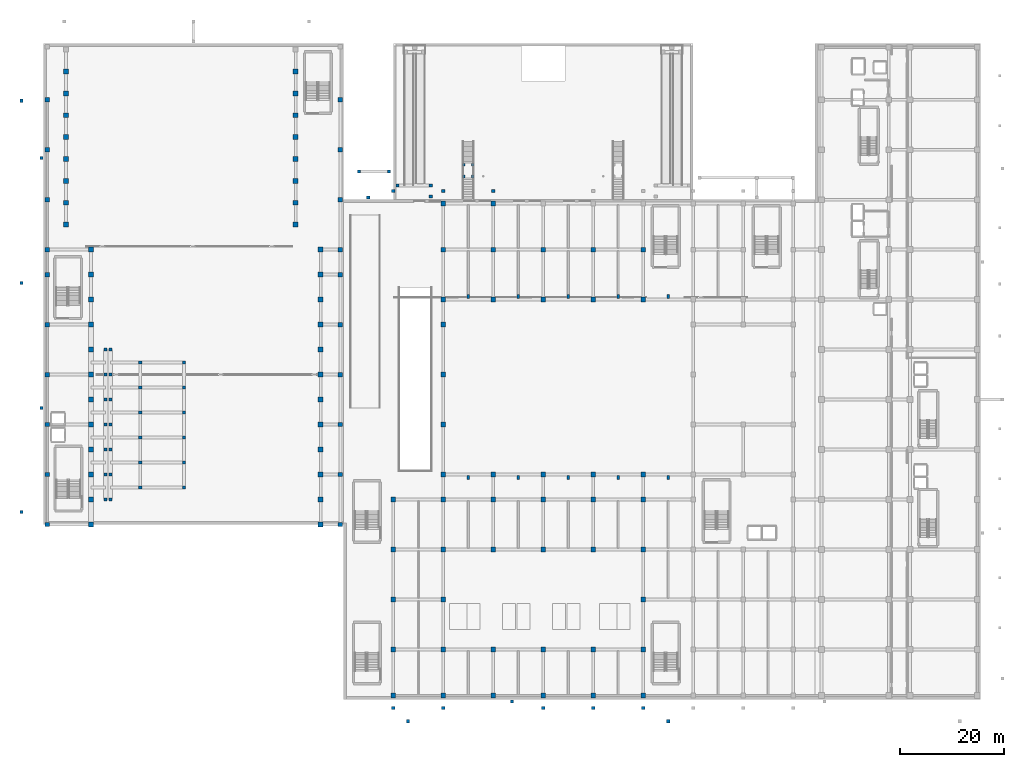
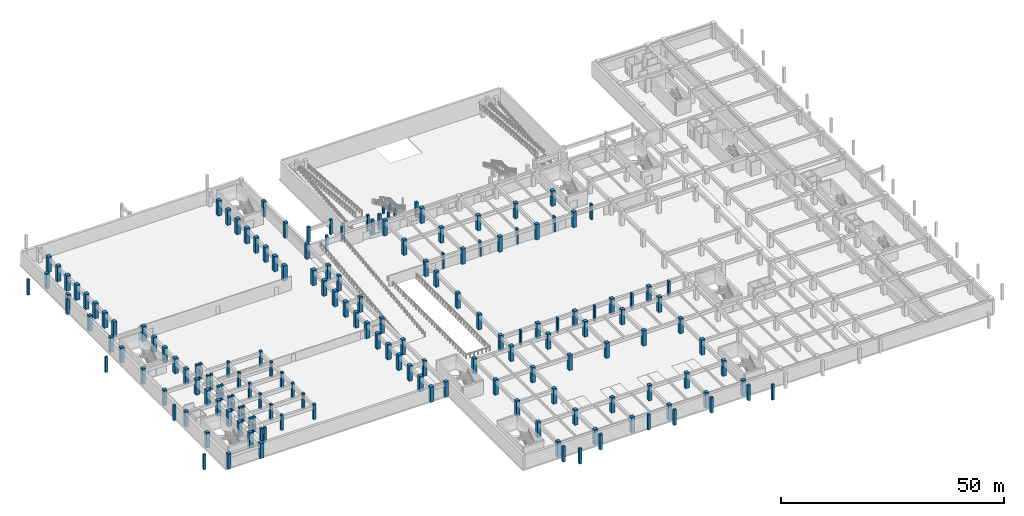
# One storey, part 1 of 39: 169 columns.
"""IFC4 building model written with IfcOpenShell, lengths in metres."""

from ifc_helpers import new_model, si_unit, direction, frame, origin, origin_2d, place, context, subcontext, project, spatial, rectangle, extrude, material, material_profile, profile_set, type_object, element, save


model = new_model("IFC4")

# Units and contexts
model_context = context("Model", 3, precision=1e-05, world=origin(), true_north=direction((0.0, 1.0)))
body_context = subcontext(model_context, "Body", "Model", "MODEL_VIEW")
ifc_project = project(units=[si_unit("LENGTHUNIT", "METRE"), si_unit("AREAUNIT", "SQUARE_METRE"), si_unit("VOLUMEUNIT", "CUBIC_METRE"), si_unit("PLANEANGLEUNIT", "RADIAN"), si_unit("MASSUNIT", "GRAM", prefix="KILO")], contexts=[model_context])

# Site, building, storey
site_placement = place(None, origin())
site = spatial("IfcSite", under=ifc_project, at=site_placement, CompositionType="ELEMENT")
building_placement = place(site_placement, origin())
building = spatial("IfcBuilding", under=site, at=building_placement, Name="Nakhvara Creek Congress Hotel", CompositionType="ELEMENT")
storey_placement = place(building_placement, frame((0.0, 0.0, -4.199951171875)))
storey = spatial("IfcBuildingStorey", under=building, at=storey_placement, Name="B1", CompositionType="ELEMENT", Elevation=-4.199951171875)

# Columns
ifc_material = material(Name="Concrete C50/60", Category="concrete")
ifc_material_profile_1 = material_profile(ifc_material, rectangle(XDim=0.5, YDim=0.5, at=origin_2d()), Name="RC-COL 500x500", Category="LoadBearing")
ifc_profile_set_1 = profile_set([ifc_material_profile_1], Name="Concrete C50/60")
column_type_1 = type_object("IfcColumnType", Name="COL-RC-500", PredefinedType="COLUMN", material=ifc_profile_set_1)
for number, where, z_axis, x_axis, name in (
    (1, (80.75, 100.449951171875, 0.0), (0.0, 0.0, 1.0), (1.0, 0.0, 0.0), "Forecourt Stair Landing Pier ST21-01"),
    (2, (80.75, 102.699951171875, 0.0), (0.0, 0.0, 1.0), (1.0, 0.0, 0.0), "Forecourt Stair Landing Pier ST21-02"),
    (3, (82.449951171875, 100.449951171875, 0.0), (0.0, 0.0, 1.0), (1.0, 0.0, 0.0), "Forecourt Stair Landing Pier ST21-03"),
    (4, (82.449951171875, 102.699951171875, 0.0), (0.0, 0.0, 1.0), (1.0, 0.0, 0.0), "Forecourt Stair Landing Pier ST21-04"),
):
    element("IfcColumn", number, at=place(storey_placement, frame(where, z_axis=z_axis, x_axis=x_axis)), inside=storey, type_object=column_type_1, Name=name, PredefinedType="COLUMN", context=body_context, shape_type="SweptSolid", body=[
        extrude(rectangle(XDim=0.5, YDim=0.5, at=origin_2d()), origin(), (0.0, 0.0, 1.0), 1.889892578125),
    ])
ifc_material_profile_2 = material_profile(ifc_material, rectangle(XDim=0.60009765625, YDim=0.60009765625, at=origin_2d()), Name="RC-COL 600x600", Category="LoadBearing")
ifc_profile_set_2 = profile_set([ifc_material_profile_2], Name="Concrete C50/60")
column_type_2 = type_object("IfcColumnType", Name="COL-RC-600", PredefinedType="COLUMN", material=ifc_profile_set_2)
for number, where, z_axis, x_axis, name in (
    (5, (11.949951171875, 38.39990234375, 0.0), (0.0, 0.0, 1.0), (1.0, 0.0, 0.0), "Column C08-B1-0332"),
    (6, (12.85009765625, 38.39990234375, 0.0), (0.0, 0.0, 1.0), (1.0, 0.0, 0.0), "Column C08-B1-0333"),
    (7, (11.949951171875, 43.199951171875, 0.0), (0.0, 0.0, 1.0), (1.0, 0.0, 0.0), "Column C08-B1-0334"),
    (8, (12.85009765625, 43.199951171875, 0.0), (0.0, 0.0, 1.0), (1.0, 0.0, 0.0), "Column C08-B1-0335"),
    (9, (11.949951171875, 48.0, 0.0), (0.0, 0.0, 1.0), (1.0, 0.0, 0.0), "Column C08-B1-0336"),
    (10, (12.85009765625, 48.0, 0.0), (0.0, 0.0, 1.0), (1.0, 0.0, 0.0), "Column C08-B1-0337"),
    (11, (11.949951171875, 52.800048828125, 0.0), (0.0, 0.0, 1.0), (1.0, 0.0, 0.0), "Column C08-B1-0338"),
    (12, (12.85009765625, 52.800048828125, 0.0), (0.0, 0.0, 1.0), (1.0, 0.0, 0.0), "Column C08-B1-0339"),
    (13, (11.949951171875, 57.60009765625, 0.0), (0.0, 0.0, 1.0), (1.0, 0.0, 0.0), "Column C08-B1-0340"),
    (14, (12.85009765625, 57.60009765625, 0.0), (0.0, 0.0, 1.0), (1.0, 0.0, 0.0), "Column C08-B1-0341"),
    (15, (11.949951171875, 62.39990234375, 0.0), (0.0, 0.0, 1.0), (1.0, 0.0, 0.0), "Column C08-B1-0342"),
    (16, (12.85009765625, 62.39990234375, 0.0), (0.0, 0.0, 1.0), (1.0, 0.0, 0.0), "Column C08-B1-0343"),
    (17, (11.949951171875, 67.199951171875, 0.0), (0.0, 0.0, 1.0), (1.0, 0.0, 0.0), "Column C08-B1-0344"),
    (18, (12.85009765625, 67.199951171875, 0.0), (0.0, 0.0, 1.0), (1.0, 0.0, 0.0), "Column C08-B1-0345"),
    (19, (18.60009765625, 40.699951171875, 0.0), (0.0, 0.0, 1.0), (1.0, 0.0, 0.0), "Column C08-B1-0346"),
    (20, (27.0, 40.699951171875, 0.0), (0.0, 0.0, 1.0), (1.0, 0.0, 0.0), "Column C08-B1-0347"),
    (21, (18.60009765625, 45.5, 0.0), (0.0, 0.0, 1.0), (1.0, 0.0, 0.0), "Column C08-B1-0348"),
    (22, (27.0, 45.5, 0.0), (0.0, 0.0, 1.0), (1.0, 0.0, 0.0), "Column C08-B1-0349"),
    (23, (18.60009765625, 50.300048828125, 0.0), (0.0, 0.0, 1.0), (1.0, 0.0, 0.0), "Column C08-B1-0350"),
    (24, (27.0, 50.300048828125, 0.0), (0.0, 0.0, 1.0), (1.0, 0.0, 0.0), "Column C08-B1-0351"),
    (25, (18.60009765625, 55.10009765625, 0.0), (0.0, 0.0, 1.0), (1.0, 0.0, 0.0), "Column C08-B1-0352"),
    (26, (27.0, 55.10009765625, 0.0), (0.0, 0.0, 1.0), (1.0, 0.0, 0.0), "Column C08-B1-0353"),
    (27, (18.60009765625, 59.89990234375, 0.0), (0.0, 0.0, 1.0), (1.0, 0.0, 0.0), "Column C08-B1-0354"),
    (28, (27.0, 59.89990234375, 0.0), (0.0, 0.0, 1.0), (1.0, 0.0, 0.0), "Column C08-B1-0355"),
    (29, (18.60009765625, 64.699951171875, 0.0), (0.0, 0.0, 1.0), (1.0, 0.0, 0.0), "Column C08-B1-0356"),
    (30, (27.0, 64.699951171875, 0.0), (0.0, 0.0, 1.0), (1.0, 0.0, 0.0), "Column C08-B1-0357"),
    (31, (68.0, 98.699951171875, 0.0), (0.0, 0.0, 1.0), (1.0, 0.0, 0.0), "Column C08-B1-0540"),
    (32, (74.39990234375, 96.60009765625, 0.0), (0.0, 0.0, 1.0), (1.0, 0.0, 0.0), "Column C08-B1-0541"),
    (33, (74.39990234375, 98.699951171875, 0.0), (0.0, 0.0, 1.0), (1.0, 0.0, 0.0), "Column C08-B1-0542"),
    (34, (-4.199951171875, 36.0, 0.0), (0.0, 0.0, 1.0), (1.0, 0.0, 0.0), "Column C08-B1-0552"),
    (35, (-4.199951171875, 80.0, 0.0), (0.0, 0.0, 1.0), (1.0, 0.0, 0.0), "Column C08-B1-0553"),
    (36, (-4.199951171875, 115.0, 0.0), (0.0, 0.0, 1.0), (1.0, 0.0, 0.0), "Column C08-B1-0554"),
    (37, (-0.39990234375, 56.0, 0.0), (0.0, 0.0, 1.0), (1.0, 0.0, 0.0), "Column C08-B1-0555"),
    (38, (-0.39990234375, 104.0, 0.0), (0.0, 0.0, 1.0), (1.0, 0.0, 0.0), "Column C08-B1-0556"),
    (39, (60.60009765625, 101.39990234375, 0.0), (0.0, 0.0, 1.0), (1.0, 0.0, 0.0), "Column C08-B1-0561"),
    (40, (66.39990234375, 101.39990234375, 0.0), (0.0, 0.0, 1.0), (1.0, 0.0, 0.0), "Column C08-B1-0562"),
    (41, (62.39990234375, 96.39990234375, 0.0), (0.0, 0.0, 1.0), (1.0, 0.0, 0.0), "Column C08-B1-0563"),
    (42, (70.0, -4.199951171875, 0.0), (0.0, 0.0, 1.0), (1.0, 0.0, 0.0), "Column C08-B1-0573"),
    (43, (120.0, -4.199951171875, 0.0), (0.0, 0.0, 1.0), (1.0, 0.0, 0.0), "Column C08-B1-0574"),
    (44, (90.0, -0.39990234375, 0.0), (0.0, 0.0, 1.0), (1.0, 0.0, 0.0), "Column C08-B1-0576"),
):
    element("IfcColumn", number, at=place(storey_placement, frame(where, z_axis=z_axis, x_axis=x_axis)), inside=storey, type_object=column_type_2, Name=name, PredefinedType="COLUMN", context=body_context, shape_type="SweptSolid", body=[
        extrude(rectangle(XDim=0.60009765625, YDim=0.60009765625, at=origin_2d()), origin(), (0.0, 0.0, 1.0), 4.199951171875),
    ])
ifc_material_profile_3 = material_profile(ifc_material, rectangle(XDim=0.64990234375, YDim=0.64990234375, at=origin_2d()), Name="RC-COL 650x650", Category="LoadBearing")
ifc_profile_set_3 = profile_set([ifc_material_profile_3], Name="Concrete C50/60")
column_type_3 = type_object("IfcColumnType", Name="COL-RC-650", PredefinedType="COLUMN", material=ifc_profile_set_3)
for number, where, z_axis, x_axis, name in (
    (45, (76.800048828125, 97.64990234375, 0.0), (0.0, 0.0, 1.0), (1.0, 0.0, 0.0), "Column C07-B1-0468"),
    (46, (86.39990234375, 97.64990234375, 0.0), (0.0, 0.0, 1.0), (1.0, 0.0, 0.0), "Column C07-B1-0469"),
    (47, (67.199951171875, -1.64990234375, 0.0), (0.0, 0.0, 1.0), (1.0, 0.0, 0.0), "Column C07-B1-0474"),
    (48, (76.800048828125, -1.64990234375, 0.0), (0.0, 0.0, 1.0), (1.0, 0.0, 0.0), "Column C07-B1-0475"),
    (49, (96.0, -1.64990234375, 0.0), (0.0, 0.0, 1.0), (1.0, 0.0, 0.0), "Column C07-B1-0476"),
    (50, (105.60009765625, -1.64990234375, 0.0), (0.0, 0.0, 1.0), (1.0, 0.0, 0.0), "Column C07-B1-0477"),
    (51, (67.199951171875, 97.64990234375, 0.0), (0.0, 0.0, 1.0), (1.0, 0.0, 0.0), "Column C07-B1-0480"),
    (52, (115.199951171875, -1.64990234375, 0.0), (0.0, 0.0, 1.0), (1.0, 0.0, 0.0), "Column C07-B1-0482"),
):
    element("IfcColumn", number, at=place(storey_placement, frame(where, z_axis=z_axis, x_axis=x_axis)), inside=storey, type_object=column_type_3, Name=name, PredefinedType="COLUMN", context=body_context, shape_type="SweptSolid", body=[
        extrude(rectangle(XDim=0.64990234375, YDim=0.64990234375, at=origin_2d()), origin(), (0.0, 0.0, 1.0), 4.199951171875),
    ])
ifc_material_profile_4 = material_profile(ifc_material, rectangle(XDim=0.85009765625, YDim=0.85009765625, at=origin_2d()), Name="RC-COL 850x850", Category="LoadBearing")
ifc_profile_set_4 = profile_set([ifc_material_profile_4], Name="Concrete C50/60")
column_type_4 = type_object("IfcColumnType", Name="COL-RC-850", PredefinedType="COLUMN", material=ifc_profile_set_4)
for number, where, z_axis, x_axis, name in (
    (53, (0.75, 33.60009765625, 0.0), (0.0, 0.0, 1.0), (1.0, 0.0, 0.0), "Column C18-B1-0294"),
    (54, (57.050048828125, 33.60009765625, 0.0), (0.0, 0.0, 1.0), (1.0, 0.0, 0.0), "Column C18-B1-0295"),
    (55, (0.75, 43.199951171875, 0.0), (0.0, 0.0, 1.0), (1.0, 0.0, 0.0), "Column C18-B1-0296"),
    (56, (57.050048828125, 43.199951171875, 0.0), (0.0, 0.0, 1.0), (1.0, 0.0, 0.0), "Column C18-B1-0297"),
    (57, (0.75, 52.800048828125, 0.0), (0.0, 0.0, 1.0), (1.0, 0.0, 0.0), "Column C18-B1-0298"),
    (58, (57.050048828125, 52.800048828125, 0.0), (0.0, 0.0, 1.0), (1.0, 0.0, 0.0), "Column C18-B1-0299"),
    (59, (0.75, 62.39990234375, 0.0), (0.0, 0.0, 1.0), (1.0, 0.0, 0.0), "Column C18-B1-0300"),
    (60, (57.050048828125, 62.39990234375, 0.0), (0.0, 0.0, 1.0), (1.0, 0.0, 0.0), "Column C18-B1-0301"),
    (61, (0.75, 72.0, 0.0), (0.0, 0.0, 1.0), (1.0, 0.0, 0.0), "Column C18-B1-0302"),
    (62, (57.050048828125, 72.0, 0.0), (0.0, 0.0, 1.0), (1.0, 0.0, 0.0), "Column C18-B1-0303"),
    (63, (0.75, 81.60009765625, 0.0), (0.0, 0.0, 1.0), (1.0, 0.0, 0.0), "Column C18-B1-0304"),
    (64, (57.050048828125, 81.60009765625, 0.0), (0.0, 0.0, 1.0), (1.0, 0.0, 0.0), "Column C18-B1-0305"),
    (65, (0.75, 86.39990234375, 0.0), (0.0, 0.0, 1.0), (1.0, 0.0, 0.0), "Column C18-B1-0306"),
    (66, (57.050048828125, 86.39990234375, 0.0), (0.0, 0.0, 1.0), (1.0, 0.0, 0.0), "Column C18-B1-0307"),
    (67, (0.75, 96.0, 0.0), (0.0, 0.0, 1.0), (1.0, 0.0, 0.0), "Column C18-B1-0376"),
    (68, (57.050048828125, 96.0, 0.0), (0.0, 0.0, 1.0), (1.0, 0.0, 0.0), "Column C18-B1-0377"),
    (69, (0.75, 105.60009765625, 0.0), (0.0, 0.0, 1.0), (1.0, 0.0, 0.0), "Column C18-B1-0378"),
    (70, (57.050048828125, 105.60009765625, 0.0), (0.0, 0.0, 1.0), (1.0, 0.0, 0.0), "Column C18-B1-0379"),
    (71, (0.75, 115.199951171875, 0.0), (0.0, 0.0, 1.0), (1.0, 0.0, 0.0), "Column C18-B1-0380"),
    (72, (57.050048828125, 115.199951171875, 0.0), (0.0, 0.0, 1.0), (1.0, 0.0, 0.0), "Column C18-B1-0381"),
):
    element("IfcColumn", number, at=place(storey_placement, frame(where, z_axis=z_axis, x_axis=x_axis)), inside=storey, type_object=column_type_4, Name=name, PredefinedType="COLUMN", context=body_context, shape_type="SweptSolid", body=[
        extrude(rectangle(XDim=0.85009765625, YDim=0.85009765625, at=origin_2d()), origin(), (0.0, 0.0, 1.0), 4.199951171875),
    ])
ifc_material_profile_5 = material_profile(ifc_material, rectangle(XDim=0.89990234375, YDim=0.89990234375, at=origin_2d()), Name="RC-COL 900x900", Category="LoadBearing")
ifc_profile_set_5 = profile_set([ifc_material_profile_5], Name="Concrete C50/60")
column_type_5 = type_object("IfcColumnType", Name="COL-RC-900", PredefinedType="COLUMN", material=ifc_profile_set_5)
for number, where, z_axis, x_axis, name in (
    (73, (67.199951171875, 0.75, 0.0), (0.0, 0.0, 1.0), (1.0, 0.0, 0.0), "Column C03-B1-0384"),
    (74, (67.199951171875, 9.60009765625, 0.0), (0.0, 0.0, 1.0), (1.0, 0.0, 0.0), "Column C03-B1-0385"),
    (75, (67.199951171875, 19.199951171875, 0.0), (0.0, 0.0, 1.0), (1.0, 0.0, 0.0), "Column C03-B1-0386"),
    (76, (67.199951171875, 28.800048828125, 0.0), (0.0, 0.0, 1.0), (1.0, 0.0, 0.0), "Column C03-B1-0387"),
    (77, (67.199951171875, 38.39990234375, 0.0), (0.0, 0.0, 1.0), (1.0, 0.0, 0.0), "Column C03-B1-0388"),
    (78, (76.800048828125, 0.75, 0.0), (0.0, 0.0, 1.0), (1.0, 0.0, 0.0), "Column C03-B1-0389"),
    (79, (76.800048828125, 9.60009765625, 0.0), (0.0, 0.0, 1.0), (1.0, 0.0, 0.0), "Column C03-B1-0390"),
    (80, (76.800048828125, 19.199951171875, 0.0), (0.0, 0.0, 1.0), (1.0, 0.0, 0.0), "Column C03-B1-0391"),
    (81, (76.800048828125, 28.800048828125, 0.0), (0.0, 0.0, 1.0), (1.0, 0.0, 0.0), "Column C03-B1-0392"),
    (82, (76.800048828125, 38.39990234375, 0.0), (0.0, 0.0, 1.0), (1.0, 0.0, 0.0), "Column C03-B1-0393"),
    (83, (76.800048828125, 43.199951171875, 0.0), (0.0, 0.0, 1.0), (1.0, 0.0, 0.0), "Column C03-B1-0394"),
    (84, (76.800048828125, 52.800048828125, 0.0), (0.0, 0.0, 1.0), (1.0, 0.0, 0.0), "Column C03-B1-0395"),
    (85, (76.800048828125, 62.39990234375, 0.0), (0.0, 0.0, 1.0), (1.0, 0.0, 0.0), "Column C03-B1-0396"),
    (86, (76.800048828125, 72.0, 0.0), (0.0, 0.0, 1.0), (1.0, 0.0, 0.0), "Column C03-B1-0397"),
    (87, (76.800048828125, 76.800048828125, 0.0), (0.0, 0.0, 1.0), (1.0, 0.0, 0.0), "Column C03-B1-0398"),
    (88, (76.800048828125, 86.39990234375, 0.0), (0.0, 0.0, 1.0), (1.0, 0.0, 0.0), "Column C03-B1-0399"),
    (89, (76.800048828125, 95.25, 0.0), (0.0, 0.0, 1.0), (1.0, 0.0, 0.0), "Column C03-B1-0400"),
    (90, (86.39990234375, 0.75, 0.0), (0.0, 0.0, 1.0), (1.0, 0.0, 0.0), "Column C03-B1-0401"),
    (91, (86.39990234375, 9.60009765625, 0.0), (0.0, 0.0, 1.0), (1.0, 0.0, 0.0), "Column C03-B1-0402"),
    (92, (86.39990234375, 28.800048828125, 0.0), (0.0, 0.0, 1.0), (1.0, 0.0, 0.0), "Column C03-B1-0403"),
    (93, (86.39990234375, 38.39990234375, 0.0), (0.0, 0.0, 1.0), (1.0, 0.0, 0.0), "Column C03-B1-0404"),
    (94, (86.39990234375, 43.199951171875, 0.0), (0.0, 0.0, 1.0), (1.0, 0.0, 0.0), "Column C03-B1-0405"),
    (95, (86.39990234375, 76.800048828125, 0.0), (0.0, 0.0, 1.0), (1.0, 0.0, 0.0), "Column C03-B1-0406"),
    (96, (86.39990234375, 86.39990234375, 0.0), (0.0, 0.0, 1.0), (1.0, 0.0, 0.0), "Column C03-B1-0407"),
    (97, (86.39990234375, 95.25, 0.0), (0.0, 0.0, 1.0), (1.0, 0.0, 0.0), "Column C03-B1-0408"),
    (98, (96.0, 0.75, 0.0), (0.0, 0.0, 1.0), (1.0, 0.0, 0.0), "Column C03-B1-0409"),
    (99, (96.0, 9.60009765625, 0.0), (0.0, 0.0, 1.0), (1.0, 0.0, 0.0), "Column C03-B1-0410"),
    (100, (96.0, 28.800048828125, 0.0), (0.0, 0.0, 1.0), (1.0, 0.0, 0.0), "Column C03-B1-0411"),
    (101, (96.0, 38.39990234375, 0.0), (0.0, 0.0, 1.0), (1.0, 0.0, 0.0), "Column C03-B1-0412"),
    (102, (96.0, 43.199951171875, 0.0), (0.0, 0.0, 1.0), (1.0, 0.0, 0.0), "Column C03-B1-0413"),
    (103, (96.0, 76.800048828125, 0.0), (0.0, 0.0, 1.0), (1.0, 0.0, 0.0), "Column C03-B1-0414"),
    (104, (96.0, 86.39990234375, 0.0), (0.0, 0.0, 1.0), (1.0, 0.0, 0.0), "Column C03-B1-0415"),
    (105, (105.60009765625, 0.75, 0.0), (0.0, 0.0, 1.0), (1.0, 0.0, 0.0), "Column C03-B1-0417"),
    (106, (105.60009765625, 9.60009765625, 0.0), (0.0, 0.0, 1.0), (1.0, 0.0, 0.0), "Column C03-B1-0418"),
    (107, (105.60009765625, 28.800048828125, 0.0), (0.0, 0.0, 1.0), (1.0, 0.0, 0.0), "Column C03-B1-0419"),
    (108, (105.60009765625, 38.39990234375, 0.0), (0.0, 0.0, 1.0), (1.0, 0.0, 0.0), "Column C03-B1-0420"),
    (109, (105.60009765625, 43.199951171875, 0.0), (0.0, 0.0, 1.0), (1.0, 0.0, 0.0), "Column C03-B1-0421"),
    (110, (105.60009765625, 76.800048828125, 0.0), (0.0, 0.0, 1.0), (1.0, 0.0, 0.0), "Column C03-B1-0422"),
    (111, (105.60009765625, 86.39990234375, 0.0), (0.0, 0.0, 1.0), (1.0, 0.0, 0.0), "Column C03-B1-0423"),
    (112, (115.199951171875, 0.75, 0.0), (0.0, 0.0, 1.0), (1.0, 0.0, 0.0), "Column C03-B1-0425"),
    (113, (115.199951171875, 9.60009765625, 0.0), (0.0, 0.0, 1.0), (1.0, 0.0, 0.0), "Column C03-B1-0426"),
    (114, (115.199951171875, 19.199951171875, 0.0), (0.0, 0.0, 1.0), (1.0, 0.0, 0.0), "Column C03-B1-0427"),
    (115, (115.199951171875, 28.800048828125, 0.0), (0.0, 0.0, 1.0), (1.0, 0.0, 0.0), "Column C03-B1-0428"),
    (116, (115.199951171875, 38.39990234375, 0.0), (0.0, 0.0, 1.0), (1.0, 0.0, 0.0), "Column C03-B1-0429"),
    (117, (115.199951171875, 43.199951171875, 0.0), (0.0, 0.0, 1.0), (1.0, 0.0, 0.0), "Column C03-B1-0430"),
    (118, (115.199951171875, 76.800048828125, 0.0), (0.0, 0.0, 1.0), (1.0, 0.0, 0.0), "Column C03-B1-0431"),
    (119, (115.199951171875, 86.39990234375, 0.0), (0.0, 0.0, 1.0), (1.0, 0.0, 0.0), "Column C03-B1-0432"),
):
    element("IfcColumn", number, at=place(storey_placement, frame(where, z_axis=z_axis, x_axis=x_axis)), inside=storey, type_object=column_type_5, Name=name, PredefinedType="COLUMN", context=body_context, shape_type="SweptSolid", body=[
        extrude(rectangle(XDim=0.89990234375, YDim=0.89990234375, at=origin_2d()), origin(), (0.0, 0.0, 1.0), 4.199951171875),
    ])
ifc_material_profile_6 = material_profile(ifc_material, rectangle(XDim=0.949951171875, YDim=0.949951171875, at=origin_2d()), Name="RC-COL 950x950", Category="LoadBearing")
ifc_profile_set_6 = profile_set([ifc_material_profile_6], Name="Concrete C50/60")
column_type_6 = type_object("IfcColumnType", Name="COL-RC-950", PredefinedType="COLUMN", material=ifc_profile_set_6)
for number, where, z_axis, x_axis, name in (
    (120, (9.14990234375, 33.60009765625, 0.0), (0.0, 0.0, 1.0), (1.0, 0.0, 0.0), "Column C17-B1-0308"),
    (121, (53.25, 33.60009765625, 0.0), (0.0, 0.0, 1.0), (1.0, 0.0, 0.0), "Column C17-B1-0309"),
    (122, (9.14990234375, 38.39990234375, 0.0), (0.0, 0.0, 1.0), (1.0, 0.0, 0.0), "Column C17-B1-0310"),
    (123, (53.25, 38.39990234375, 0.0), (0.0, 0.0, 1.0), (1.0, 0.0, 0.0), "Column C17-B1-0311"),
    (124, (9.14990234375, 43.199951171875, 0.0), (0.0, 0.0, 1.0), (1.0, 0.0, 0.0), "Column C17-B1-0312"),
    (125, (53.25, 43.199951171875, 0.0), (0.0, 0.0, 1.0), (1.0, 0.0, 0.0), "Column C17-B1-0313"),
    (126, (9.14990234375, 48.0, 0.0), (0.0, 0.0, 1.0), (1.0, 0.0, 0.0), "Column C17-B1-0314"),
    (127, (53.25, 48.0, 0.0), (0.0, 0.0, 1.0), (1.0, 0.0, 0.0), "Column C17-B1-0315"),
    (128, (9.14990234375, 52.800048828125, 0.0), (0.0, 0.0, 1.0), (1.0, 0.0, 0.0), "Column C17-B1-0316"),
    (129, (53.25, 52.800048828125, 0.0), (0.0, 0.0, 1.0), (1.0, 0.0, 0.0), "Column C17-B1-0317"),
    (130, (9.14990234375, 57.60009765625, 0.0), (0.0, 0.0, 1.0), (1.0, 0.0, 0.0), "Column C17-B1-0318"),
    (131, (53.25, 57.60009765625, 0.0), (0.0, 0.0, 1.0), (1.0, 0.0, 0.0), "Column C17-B1-0319"),
    (132, (9.14990234375, 62.39990234375, 0.0), (0.0, 0.0, 1.0), (1.0, 0.0, 0.0), "Column C17-B1-0320"),
    (133, (53.25, 62.39990234375, 0.0), (0.0, 0.0, 1.0), (1.0, 0.0, 0.0), "Column C17-B1-0321"),
    (134, (9.14990234375, 67.199951171875, 0.0), (0.0, 0.0, 1.0), (1.0, 0.0, 0.0), "Column C17-B1-0322"),
    (135, (53.25, 67.199951171875, 0.0), (0.0, 0.0, 1.0), (1.0, 0.0, 0.0), "Column C17-B1-0323"),
    (136, (9.14990234375, 72.0, 0.0), (0.0, 0.0, 1.0), (1.0, 0.0, 0.0), "Column C17-B1-0324"),
    (137, (53.25, 72.0, 0.0), (0.0, 0.0, 1.0), (1.0, 0.0, 0.0), "Column C17-B1-0325"),
    (138, (9.14990234375, 76.800048828125, 0.0), (0.0, 0.0, 1.0), (1.0, 0.0, 0.0), "Column C17-B1-0326"),
    (139, (53.25, 76.800048828125, 0.0), (0.0, 0.0, 1.0), (1.0, 0.0, 0.0), "Column C17-B1-0327"),
    (140, (9.14990234375, 81.60009765625, 0.0), (0.0, 0.0, 1.0), (1.0, 0.0, 0.0), "Column C17-B1-0328"),
    (141, (53.25, 81.60009765625, 0.0), (0.0, 0.0, 1.0), (1.0, 0.0, 0.0), "Column C17-B1-0329"),
    (142, (9.14990234375, 86.39990234375, 0.0), (0.0, 0.0, 1.0), (1.0, 0.0, 0.0), "Column C17-B1-0330"),
    (143, (53.25, 86.39990234375, 0.0), (0.0, 0.0, 1.0), (1.0, 0.0, 0.0), "Column C17-B1-0331"),
    (144, (4.35009765625, 91.199951171875, 0.0), (0.0, 0.0, 1.0), (1.0, 0.0, 0.0), "Column C17-B1-0358"),
    (145, (48.449951171875, 91.199951171875, 0.0), (0.0, 0.0, 1.0), (1.0, 0.0, 0.0), "Column C17-B1-0359"),
    (146, (4.35009765625, 95.39990234375, 0.0), (0.0, 0.0, 1.0), (1.0, 0.0, 0.0), "Column C17-B1-0360"),
    (147, (48.449951171875, 95.39990234375, 0.0), (0.0, 0.0, 1.0), (1.0, 0.0, 0.0), "Column C17-B1-0361"),
    (148, (4.35009765625, 99.60009765625, 0.0), (0.0, 0.0, 1.0), (1.0, 0.0, 0.0), "Column C17-B1-0362"),
    (149, (48.449951171875, 99.60009765625, 0.0), (0.0, 0.0, 1.0), (1.0, 0.0, 0.0), "Column C17-B1-0363"),
    (150, (4.35009765625, 103.800048828125, 0.0), (0.0, 0.0, 1.0), (1.0, 0.0, 0.0), "Column C17-B1-0364"),
    (151, (48.449951171875, 103.800048828125, 0.0), (0.0, 0.0, 1.0), (1.0, 0.0, 0.0), "Column C17-B1-0365"),
    (152, (4.35009765625, 108.0, 0.0), (0.0, 0.0, 1.0), (1.0, 0.0, 0.0), "Column C17-B1-0366"),
    (153, (48.449951171875, 108.0, 0.0), (0.0, 0.0, 1.0), (1.0, 0.0, 0.0), "Column C17-B1-0367"),
    (154, (4.35009765625, 112.199951171875, 0.0), (0.0, 0.0, 1.0), (1.0, 0.0, 0.0), "Column C17-B1-0368"),
    (155, (48.449951171875, 112.199951171875, 0.0), (0.0, 0.0, 1.0), (1.0, 0.0, 0.0), "Column C17-B1-0369"),
    (156, (4.35009765625, 116.39990234375, 0.0), (0.0, 0.0, 1.0), (1.0, 0.0, 0.0), "Column C17-B1-0370"),
    (157, (48.449951171875, 116.39990234375, 0.0), (0.0, 0.0, 1.0), (1.0, 0.0, 0.0), "Column C17-B1-0371"),
    (158, (4.35009765625, 120.60009765625, 0.0), (0.0, 0.0, 1.0), (1.0, 0.0, 0.0), "Column C17-B1-0372"),
    (159, (48.449951171875, 120.60009765625, 0.0), (0.0, 0.0, 1.0), (1.0, 0.0, 0.0), "Column C17-B1-0373"),
):
    element("IfcColumn", number, at=place(storey_placement, frame(where, z_axis=z_axis, x_axis=x_axis)), inside=storey, type_object=column_type_6, Name=name, PredefinedType="COLUMN", context=body_context, shape_type="SweptSolid", body=[
        extrude(rectangle(XDim=0.949951171875, YDim=0.949951171875, at=origin_2d()), origin(), (0.0, 0.0, 1.0), 4.199951171875),
    ])
ifc_material_profile_7 = material_profile(ifc_material, rectangle(XDim=0.449951171875, YDim=0.75, at=origin_2d()), Name="RC-PIL 450x750", Category="LoadBearing")
ifc_profile_set_7 = profile_set([ifc_material_profile_7], Name="Concrete C50/60")
column_type_7 = type_object("IfcColumnType", Name="PIL-RC-450X750", PredefinedType="PILASTER", material=ifc_profile_set_7)
for number, where, z_axis, x_axis, name in (
    (160, (81.60009765625, 42.60009765625, 0.0), (0.0, 0.0, 1.0), (1.0, 0.0, 0.0), "Pilaster Pier PL2-B1-011"),
    (161, (91.199951171875, 42.60009765625, 0.0), (0.0, 0.0, 1.0), (1.0, 0.0, 0.0), "Pilaster Pier PL2-B1-012"),
    (162, (100.800048828125, 42.60009765625, 0.0), (0.0, 0.0, 1.0), (1.0, 0.0, 0.0), "Pilaster Pier PL2-B1-013"),
    (163, (110.39990234375, 42.60009765625, 0.0), (0.0, 0.0, 1.0), (1.0, 0.0, 0.0), "Pilaster Pier PL2-B1-014"),
    (164, (120.0, 42.60009765625, 0.0), (0.0, 0.0, 1.0), (1.0, 0.0, 0.0), "Pilaster Pier PL2-B1-015"),
    (165, (81.60009765625, 77.39990234375, 0.0), (0.0, 0.0, 1.0), (1.0, 0.0, 0.0), "Pilaster Pier PL2-B1-016"),
    (166, (91.199951171875, 77.39990234375, 0.0), (0.0, 0.0, 1.0), (1.0, 0.0, 0.0), "Pilaster Pier PL2-B1-017"),
    (167, (100.800048828125, 77.39990234375, 0.0), (0.0, 0.0, 1.0), (1.0, 0.0, 0.0), "Pilaster Pier PL2-B1-018"),
    (168, (110.39990234375, 77.39990234375, 0.0), (0.0, 0.0, 1.0), (1.0, 0.0, 0.0), "Pilaster Pier PL2-B1-019"),
    (169, (120.0, 77.39990234375, 0.0), (0.0, 0.0, 1.0), (1.0, 0.0, 0.0), "Pilaster Pier PL2-B1-020"),
):
    element("IfcColumn", number, at=place(storey_placement, frame(where, z_axis=z_axis, x_axis=x_axis)), inside=storey, type_object=column_type_7, Name=name, PredefinedType="PILASTER", context=body_context, shape_type="SweptSolid", body=[
        extrude(rectangle(XDim=0.449951171875, YDim=0.75, at=origin_2d()), origin(), (0.0, 0.0, 1.0), 4.199951171875),
    ])

save(model, "model.ifc")
